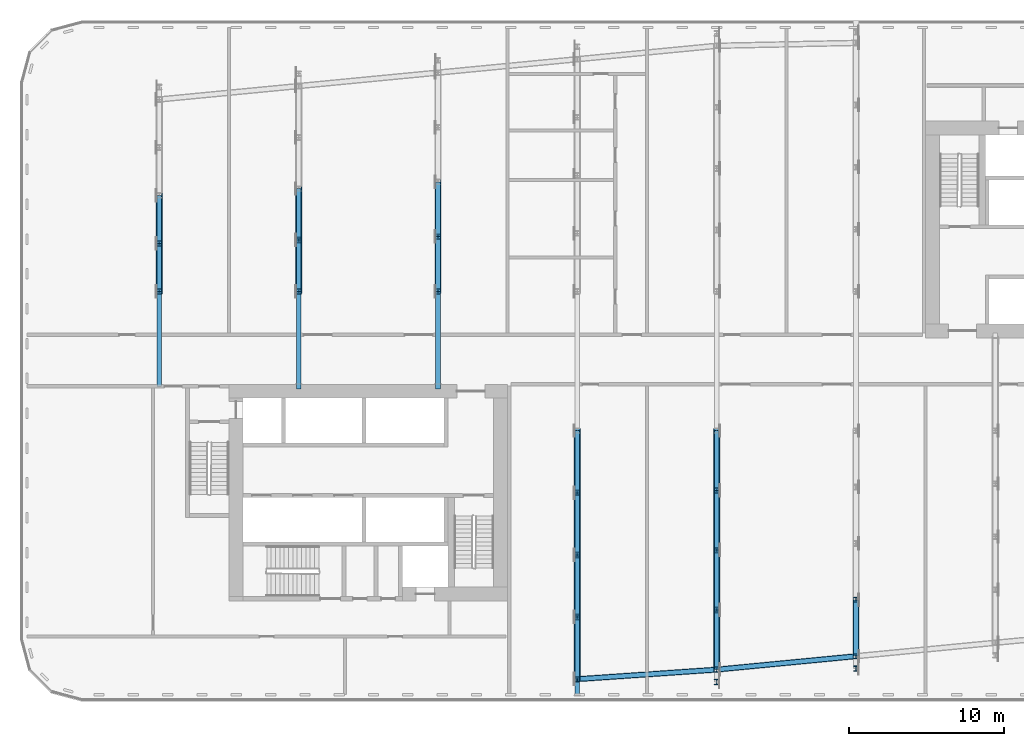
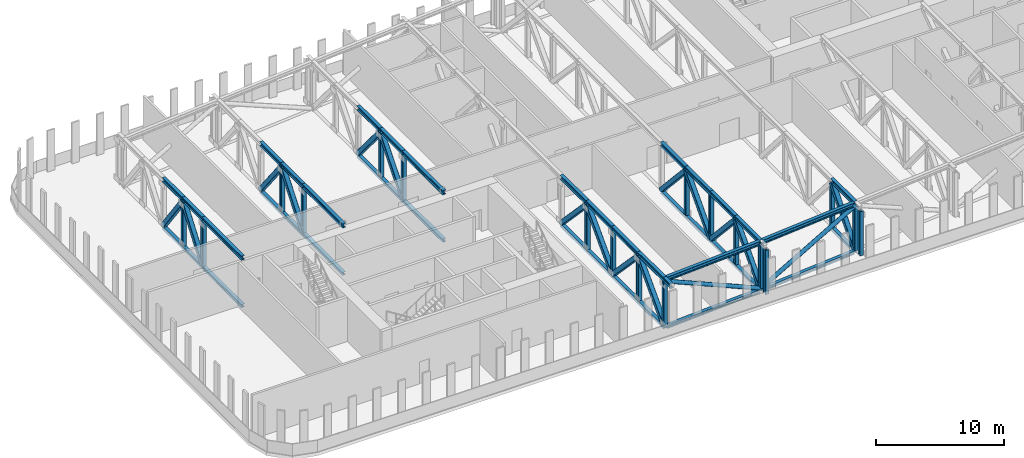
# One storey, part 1 of 22: 76 members.
"""IFC4 building model written with IfcOpenShell, lengths in metres."""

from ifc_helpers import new_model, si_unit, direction, frame, origin, origin_2d, place, context, subcontext, project, spatial, hollow_rectangle, hollow_circle, i_section, extrude, material, material_profile, profile_set, type_object, element, save


model = new_model("IFC4")

# Units and contexts
model_context = context("Model", 3, precision=1e-05, world=origin(), true_north=direction((0.0, 1.0)))
body_context = subcontext(model_context, "Body", "Model", "MODEL_VIEW")
ifc_project = project(units=[si_unit("LENGTHUNIT", "METRE"), si_unit("AREAUNIT", "SQUARE_METRE"), si_unit("VOLUMEUNIT", "CUBIC_METRE"), si_unit("PLANEANGLEUNIT", "RADIAN"), si_unit("MASSUNIT", "GRAM", prefix="KILO")], contexts=[model_context])

# Site, building, storey
site_placement = place(None, origin())
site = spatial("IfcSite", under=ifc_project, at=site_placement, CompositionType="ELEMENT")
building_placement = place(site_placement, origin())
building = spatial("IfcBuilding", under=site, at=building_placement, Name="Kajstack Hotel Tower", CompositionType="ELEMENT")
storey_placement = place(building_placement, frame((0.0, 0.0, 99.60009765625)))
storey = spatial("IfcBuildingStorey", under=building, at=storey_placement, Name="L21", CompositionType="ELEMENT", Elevation=99.60009765625)

# Members
ifc_material = material(Name="Steel S355J2", Category="steel")
ifc_material_profile_1 = material_profile(ifc_material, i_section(OverallWidth=0.300048828125, OverallDepth=0.300048828125, WebThickness=0.010986328125, FlangeThickness=0.01904296875, FilletRadius=0.027099609375, at=origin_2d()), Name="HEB 300")
ifc_profile_set_1 = profile_set([ifc_material_profile_1], Name="Steel S355J2")
member_type_1 = type_object("IfcMemberType", Name="Belt truss bottom chord BB2 HEB 300", PredefinedType="CHORD", material=ifc_profile_set_1)
member_1_placement = place(storey_placement, frame((-8.850341796875, -20.539794921875, -0.150146484375), z_axis=(0.997654846577, 0.068445650707, 0.0), x_axis=(-0.068445650707, 0.997654846577, 0.0)))
element("IfcMember", 1, at=member_1_placement, inside=storey, type_object=member_type_1, Name="S-belt-truss-L21-s04-b", PredefinedType="CHORD", context=body_context, shape_type="SweptSolid", body=[
    extrude(i_section(OverallWidth=0.300048828125, OverallDepth=0.300048828125, WebThickness=0.010986328125, FlangeThickness=0.01904296875, FilletRadius=0.027099609375, at=origin_2d()), origin(), (0.0, 0.0, 1.0), 8.72119140625),
])
member_2_placement = place(storey_placement, frame((0.1494140625, -19.918212890625, -0.150146484375), z_axis=(0.995395510024, 0.095852900965, 0.0), x_axis=(-0.095852900965, 0.995395510024, 0.0)))
element("IfcMember", 2, at=member_2_placement, inside=storey, type_object=member_type_1, Name="S-belt-truss-L21-s05-b", PredefinedType="CHORD", context=body_context, shape_type="SweptSolid", body=[
    extrude(i_section(OverallWidth=0.300048828125, OverallDepth=0.300048828125, WebThickness=0.010986328125, FlangeThickness=0.01904296875, FilletRadius=0.027099609375, at=origin_2d()), origin(), (0.0, 0.0, 1.0), 8.741455078125),
])
ifc_material_profile_2 = material_profile(ifc_material, i_section(OverallWidth=0.300048828125, OverallDepth=0.300048828125, WebThickness=0.010986328125, FlangeThickness=0.01904296875, FilletRadius=0.027099609375, at=origin_2d()), Name="HEB 300")
ifc_profile_set_2 = profile_set([ifc_material_profile_2], Name="Steel S355J2")
member_type_2 = type_object("IfcMemberType", Name="Belt truss bottom chord BC2 HEB 300", PredefinedType="CHORD", material=ifc_profile_set_2)
member_3_placement = place(storey_placement, frame((-36.0, -1.64990234375, -0.150146484375), z_axis=(0.0, 1.0, 0.0), x_axis=(-1.0, 0.0, 0.0)))
element("IfcMember", 3, at=member_3_placement, inside=storey, type_object=member_type_2, Name="S-belt-truss-L21--36p0-1-bc7", PredefinedType="CHORD", context=body_context, shape_type="SweptSolid", body=[
    extrude(i_section(OverallWidth=0.300048828125, OverallDepth=0.300048828125, WebThickness=0.010986328125, FlangeThickness=0.01904296875, FilletRadius=0.027099609375, at=origin_2d()), origin(), (0.0, 0.0, 1.0), 6.14990234375),
])
member_4_placement = place(storey_placement, frame((-36.0, 4.5, -0.150146484375), z_axis=(0.0, 1.0, 0.0), x_axis=(-1.0, 0.0, 0.0)))
element("IfcMember", 4, at=member_4_placement, inside=storey, type_object=member_type_2, Name="S-belt-truss-L21--36p0-1-bc8", PredefinedType="CHORD", context=body_context, shape_type="SweptSolid", body=[
    extrude(i_section(OverallWidth=0.300048828125, OverallDepth=0.300048828125, WebThickness=0.010986328125, FlangeThickness=0.01904296875, FilletRadius=0.027099609375, at=origin_2d()), origin(), (0.0, 0.0, 1.0), 3.09912109375),
])
member_5_placement = place(storey_placement, frame((-36.0, 7.59912109375, -0.150146484375), z_axis=(0.0, 1.0, 0.0), x_axis=(-1.0, 0.0, 0.0)))
element("IfcMember", 5, at=member_5_placement, inside=storey, type_object=member_type_2, Name="S-belt-truss-L21--36p0-1-bc9", PredefinedType="CHORD", context=body_context, shape_type="SweptSolid", body=[
    extrude(i_section(OverallWidth=0.300048828125, OverallDepth=0.300048828125, WebThickness=0.010986328125, FlangeThickness=0.01904296875, FilletRadius=0.027099609375, at=origin_2d()), origin(), (0.0, 0.0, 1.0), 3.098876953125),
])
member_6_placement = place(storey_placement, frame((-27.0, -1.800048828125, -0.150146484375), z_axis=(0.0, 1.0, 0.0), x_axis=(-1.0, 0.0, 0.0)))
element("IfcMember", 6, at=member_6_placement, inside=storey, type_object=member_type_2, Name="S-outrigger-truss-L21--27p0-1-bc7", PredefinedType="CHORD", context=body_context, shape_type="SweptSolid", body=[
    extrude(i_section(OverallWidth=0.300048828125, OverallDepth=0.300048828125, WebThickness=0.010986328125, FlangeThickness=0.01904296875, FilletRadius=0.027099609375, at=origin_2d()), origin(), (0.0, 0.0, 1.0), 6.300048828125),
])
member_7_placement = place(storey_placement, frame((-27.0, 4.5, -0.150146484375), z_axis=(0.0, 1.0, 0.0), x_axis=(-1.0, 0.0, 0.0)))
element("IfcMember", 7, at=member_7_placement, inside=storey, type_object=member_type_2, Name="S-outrigger-truss-L21--27p0-1-bc8", PredefinedType="CHORD", context=body_context, shape_type="SweptSolid", body=[
    extrude(i_section(OverallWidth=0.300048828125, OverallDepth=0.300048828125, WebThickness=0.010986328125, FlangeThickness=0.01904296875, FilletRadius=0.027099609375, at=origin_2d()), origin(), (0.0, 0.0, 1.0), 3.315673828125),
])
member_8_placement = place(storey_placement, frame((-27.0, 7.815673828125, -0.150146484375), z_axis=(0.0, 1.0, 0.0), x_axis=(-1.0, 0.0, 0.0)))
element("IfcMember", 8, at=member_8_placement, inside=storey, type_object=member_type_2, Name="S-outrigger-truss-L21--27p0-1-bc9", PredefinedType="CHORD", context=body_context, shape_type="SweptSolid", body=[
    extrude(i_section(OverallWidth=0.300048828125, OverallDepth=0.300048828125, WebThickness=0.010986328125, FlangeThickness=0.01904296875, FilletRadius=0.027099609375, at=origin_2d()), origin(), (0.0, 0.0, 1.0), 3.3154296875),
])
member_9_placement = place(storey_placement, frame((-18.0, -1.800048828125, -0.150146484375), z_axis=(0.0, 1.0, 0.0), x_axis=(-1.0, 0.0, 0.0)))
element("IfcMember", 9, at=member_9_placement, inside=storey, type_object=member_type_2, Name="S-outrigger-truss-L21--18p0-1-bc7", PredefinedType="CHORD", context=body_context, shape_type="SweptSolid", body=[
    extrude(i_section(OverallWidth=0.300048828125, OverallDepth=0.300048828125, WebThickness=0.010986328125, FlangeThickness=0.01904296875, FilletRadius=0.027099609375, at=origin_2d()), origin(), (0.0, 0.0, 1.0), 6.300048828125),
])
for number, where, z_axis, x_axis, name in (
    (10, (-18.0, 4.5, -0.150146484375), (0.0, 1.0, 0.0), (-1.0, 0.0, 0.0), "S-outrigger-truss-L21--18p0-1-bc8"),
    (11, (-18.0, 8.0322265625, -0.150146484375), (0.0, 1.0, 0.0), (-1.0, 0.0, 0.0), "S-outrigger-truss-L21--18p0-1-bc9"),
):
    element("IfcMember", number, at=place(storey_placement, frame(where, z_axis=z_axis, x_axis=x_axis)), inside=storey, type_object=member_type_2, Name=name, PredefinedType="CHORD", context=body_context, shape_type="SweptSolid", body=[
        extrude(i_section(OverallWidth=0.300048828125, OverallDepth=0.300048828125, WebThickness=0.010986328125, FlangeThickness=0.01904296875, FilletRadius=0.027099609375, at=origin_2d()), origin(), (0.0, 0.0, 1.0), 3.5322265625),
    ])
member_10_placement = place(storey_placement, frame((-9.0, -20.550048828125, -0.150146484375), z_axis=(0.0, 1.0, 0.0), x_axis=(-1.0, 0.0, 0.0)))
element("IfcMember", 12, at=member_10_placement, inside=storey, type_object=member_type_2, Name="S-belt-truss-L21--9p0-1-bc12", PredefinedType="CHORD", context=body_context, shape_type="SweptSolid", body=[
    extrude(i_section(OverallWidth=0.300048828125, OverallDepth=0.300048828125, WebThickness=0.010986328125, FlangeThickness=0.01904296875, FilletRadius=0.027099609375, at=origin_2d()), origin(), (0.0, 0.0, 1.0), 4.012451171875),
])
member_11_placement = place(storey_placement, frame((-9.0, -16.53759765625, -0.150146484375), z_axis=(0.0, 1.0, 0.0), x_axis=(-1.0, 0.0, 0.0)))
element("IfcMember", 13, at=member_11_placement, inside=storey, type_object=member_type_2, Name="S-belt-truss-L21--9p0-1-bc13", PredefinedType="CHORD", context=body_context, shape_type="SweptSolid", body=[
    extrude(i_section(OverallWidth=0.300048828125, OverallDepth=0.300048828125, WebThickness=0.010986328125, FlangeThickness=0.01904296875, FilletRadius=0.027099609375, at=origin_2d()), origin(), (0.0, 0.0, 1.0), 4.0126953125),
])
for number, where, z_axis, x_axis, name in (
    (14, (-9.0, -12.52490234375, -0.150146484375), (0.0, 1.0, 0.0), (-1.0, 0.0, 0.0), "S-belt-truss-L21--9p0-1-bc14"),
    (15, (-9.0, -8.512451171875, -0.150146484375), (0.0, 1.0, 0.0), (-1.0, 0.0, 0.0), "S-belt-truss-L21--9p0-1-bc15"),
):
    element("IfcMember", number, at=place(storey_placement, frame(where, z_axis=z_axis, x_axis=x_axis)), inside=storey, type_object=member_type_2, Name=name, PredefinedType="CHORD", context=body_context, shape_type="SweptSolid", body=[
        extrude(i_section(OverallWidth=0.300048828125, OverallDepth=0.300048828125, WebThickness=0.010986328125, FlangeThickness=0.01904296875, FilletRadius=0.027099609375, at=origin_2d()), origin(), (0.0, 0.0, 1.0), 4.012451171875),
    ])
for number, where, z_axis, x_axis, name in (
    (16, (0.0, -19.9326171875, -0.150146484375), (0.0, 1.0, 0.0), (-1.0, 0.0, 0.0), "S-belt-truss-L21-+0p0-1-bc13"),
    (17, (0.0, -16.074462890625, -0.150146484375), (0.0, 1.0, 0.0), (-1.0, 0.0, 0.0), "S-belt-truss-L21-+0p0-1-bc14"),
    (18, (0.0, -12.21630859375, -0.150146484375), (0.0, 1.0, 0.0), (-1.0, 0.0, 0.0), "S-belt-truss-L21-+0p0-1-bc15"),
    (19, (0.0, -8.358154296875, -0.150146484375), (0.0, 1.0, 0.0), (-1.0, 0.0, 0.0), "S-belt-truss-L21-+0p0-1-bc16"),
):
    element("IfcMember", number, at=place(storey_placement, frame(where, z_axis=z_axis, x_axis=x_axis)), inside=storey, type_object=member_type_2, Name=name, PredefinedType="CHORD", context=body_context, shape_type="SweptSolid", body=[
        extrude(i_section(OverallWidth=0.300048828125, OverallDepth=0.300048828125, WebThickness=0.010986328125, FlangeThickness=0.01904296875, FilletRadius=0.027099609375, at=origin_2d()), origin(), (0.0, 0.0, 1.0), 3.858154296875),
    ])
member_12_placement = place(storey_placement, frame((9.0, -19.06591796875, -0.150146484375), z_axis=(0.0, 1.0, 0.0), x_axis=(-1.0, 0.0, 0.0)))
element("IfcMember", 20, at=member_12_placement, inside=storey, type_object=member_type_2, Name="S-belt-truss-L21-+9p0-1-bc14", PredefinedType="CHORD", context=body_context, shape_type="SweptSolid", body=[
    extrude(i_section(OverallWidth=0.300048828125, OverallDepth=0.300048828125, WebThickness=0.010986328125, FlangeThickness=0.01904296875, FilletRadius=0.027099609375, at=origin_2d()), origin(), (0.0, 0.0, 1.0), 3.6416015625),
])
ifc_material_profile_3 = material_profile(ifc_material, hollow_circle(Radius=0.177734375, WallThickness=0.01611328125, at=origin_2d()), Name="CHS 355.6x16")
ifc_profile_set_3 = profile_set([ifc_material_profile_3], Name="Steel S355J2")
member_type_3 = type_object("IfcMemberType", Name="Belt truss diagonal BD2 CHS 355.6x16", PredefinedType="BRACE", material=ifc_profile_set_3)
member_13_placement = place(storey_placement, frame((0.0, -19.9326171875, 0.0), z_axis=(-0.904054770083, -0.062021335545, 0.42289280749), x_axis=(0.068442644007, -0.997655052852, 0.0)))
element("IfcMember", 21, at=member_13_placement, inside=storey, type_object=member_type_3, Name="S-belt-truss-L21-s04-d", PredefinedType="BRACE", context=body_context, shape_type="SweptSolid", body=[
    extrude(hollow_circle(Radius=0.177734375, WallThickness=0.01611328125, at=origin_2d()), origin(), (0.0, 0.0, 1.0), 9.955078125),
])
member_14_placement = place(storey_placement, frame((0.0, -19.9326171875, 0.0), z_axis=(0.902372121579, 0.086898356977, 0.422105709215), x_axis=(-0.095856468129, 0.995395166513, 0.0)))
element("IfcMember", 22, at=member_14_placement, inside=storey, type_object=member_type_3, Name="S-belt-truss-L21-s05-d", PredefinedType="BRACE", context=body_context, shape_type="SweptSolid", body=[
    extrude(hollow_circle(Radius=0.177734375, WallThickness=0.01611328125, at=origin_2d()), origin(), (0.0, 0.0, 1.0), 9.9736328125),
])
ifc_material_profile_4 = material_profile(ifc_material, hollow_rectangle(XDim=0.39990234375, YDim=0.39990234375, WallThickness=0.02001953125, InnerFilletRadius=0.02001953125, OuterFilletRadius=0.030029296875, at=origin_2d()), Name="SHS 400x400x20")
ifc_profile_set_4 = profile_set([ifc_material_profile_4], Name="Steel S355J2")
member_type_4 = type_object("IfcMemberType", Name="Belt truss diagonal DG2 SHS 400x400x20", PredefinedType="BRACE", material=ifc_profile_set_4)
for number, where, z_axis, x_axis, name in (
    (23, (-36.0, 4.5, 0.0), (0.0, 0.59283257295, 0.805325735619), (-1.0, 0.0, 0.0), "S-belt-truss-L21--36p0-1-dg19"),
    (24, (-36.0, 10.697998046875, 0.0), (0.0, -0.592802283265, 0.805348032192), (1.0, 0.0, 0.0), "S-belt-truss-L21--36p0-1-dg20"),
):
    element("IfcMember", number, at=place(storey_placement, frame(where, z_axis=z_axis, x_axis=x_axis)), inside=storey, type_object=member_type_4, Name=name, PredefinedType="BRACE", context=body_context, shape_type="SweptSolid", body=[
        extrude(hollow_rectangle(XDim=0.39990234375, YDim=0.39990234375, WallThickness=0.02001953125, InnerFilletRadius=0.02001953125, OuterFilletRadius=0.030029296875, at=origin_2d()), origin(), (0.0, 0.0, 1.0), 5.2275390625),
    ])
member_15_placement = place(storey_placement, frame((-27.0, 4.5, 0.0), z_axis=(0.0, 0.618726558632, 0.785606419044), x_axis=(-1.0, 0.0, 0.0)))
element("IfcMember", 25, at=member_15_placement, inside=storey, type_object=member_type_4, Name="S-outrigger-truss-L21--27p0-1-dg19", PredefinedType="BRACE", context=body_context, shape_type="SweptSolid", body=[
    extrude(hollow_rectangle(XDim=0.39990234375, YDim=0.39990234375, WallThickness=0.02001953125, InnerFilletRadius=0.02001953125, OuterFilletRadius=0.030029296875, at=origin_2d()), origin(), (0.0, 0.0, 1.0), 5.35888671875),
])
member_16_placement = place(storey_placement, frame((-27.0, 11.131103515625, 0.0), z_axis=(0.0, -0.61869843992, 0.785628563916), x_axis=(1.0, 0.0, 0.0)))
element("IfcMember", 26, at=member_16_placement, inside=storey, type_object=member_type_4, Name="S-outrigger-truss-L21--27p0-1-dg20", PredefinedType="BRACE", context=body_context, shape_type="SweptSolid", body=[
    extrude(hollow_rectangle(XDim=0.39990234375, YDim=0.39990234375, WallThickness=0.02001953125, InnerFilletRadius=0.02001953125, OuterFilletRadius=0.030029296875, at=origin_2d()), origin(), (0.0, 0.0, 1.0), 5.358642578125),
])
for number, where, z_axis, x_axis, name in (
    (27, (-18.0, 4.5, 0.0), (0.0, 0.642750223443, 0.766075812348), (-1.0, 0.0, 0.0), "S-outrigger-truss-L21--18p0-1-dg19"),
    (28, (-18.0, 11.564453125, 0.0), (0.0, -0.642750223443, 0.766075812348), (1.0, 0.0, 0.0), "S-outrigger-truss-L21--18p0-1-dg20"),
):
    element("IfcMember", number, at=place(storey_placement, frame(where, z_axis=z_axis, x_axis=x_axis)), inside=storey, type_object=member_type_4, Name=name, PredefinedType="BRACE", context=body_context, shape_type="SweptSolid", body=[
        extrude(hollow_rectangle(XDim=0.39990234375, YDim=0.39990234375, WallThickness=0.02001953125, InnerFilletRadius=0.02001953125, OuterFilletRadius=0.030029296875, at=origin_2d()), origin(), (0.0, 0.0, 1.0), 5.49560546875),
    ])
for number, where, z_axis, x_axis, name in (
    (29, (-9.0, -20.550048828125, 0.0), (0.0, 0.689922422397, 0.723883313162), (-1.0, 0.0, 0.0), "S-belt-truss-L21--9p0-1-dg33"),
    (30, (-9.0, -12.52490234375, 0.0), (0.0, -0.689944418655, 0.723862348217), (1.0, 0.0, 0.0), "S-belt-truss-L21--9p0-1-dg34"),
    (31, (-9.0, -12.52490234375, 0.0), (0.0, 0.689922422397, 0.723883313162), (-1.0, 0.0, 0.0), "S-belt-truss-L21--9p0-1-dg35"),
    (32, (-9.0, -4.5, 0.0), (0.0, -0.689922422397, 0.723883313162), (1.0, 0.0, 0.0), "S-belt-truss-L21--9p0-1-dg36"),
):
    element("IfcMember", number, at=place(storey_placement, frame(where, z_axis=z_axis, x_axis=x_axis)), inside=storey, type_object=member_type_4, Name=name, PredefinedType="BRACE", context=body_context, shape_type="SweptSolid", body=[
        extrude(hollow_rectangle(XDim=0.39990234375, YDim=0.39990234375, WallThickness=0.02001953125, InnerFilletRadius=0.02001953125, OuterFilletRadius=0.030029296875, at=origin_2d()), origin(), (0.0, 0.0, 1.0), 5.81591796875),
    ])
for number, where, z_axis, x_axis, name in (
    (33, (0.0, -19.9326171875, 0.0), (0.0, 0.675631695042, 0.73723931844), (-1.0, 0.0, 0.0), "S-belt-truss-L21-+0p0-1-dg35"),
    (34, (0.0, -12.21630859375, 0.0), (0.0, -0.675631695042, 0.73723931844), (1.0, 0.0, 0.0), "S-belt-truss-L21-+0p0-1-dg36"),
    (35, (0.0, -12.21630859375, 0.0), (0.0, 0.675631695042, 0.73723931844), (-1.0, 0.0, 0.0), "S-belt-truss-L21-+0p0-1-dg37"),
    (36, (0.0, -4.5, 0.0), (0.0, -0.675631695042, 0.73723931844), (1.0, 0.0, 0.0), "S-belt-truss-L21-+0p0-1-dg38"),
):
    element("IfcMember", number, at=place(storey_placement, frame(where, z_axis=z_axis, x_axis=x_axis)), inside=storey, type_object=member_type_4, Name=name, PredefinedType="BRACE", context=body_context, shape_type="SweptSolid", body=[
        extrude(hollow_rectangle(XDim=0.39990234375, YDim=0.39990234375, WallThickness=0.02001953125, InnerFilletRadius=0.02001953125, OuterFilletRadius=0.030029296875, at=origin_2d()), origin(), (0.0, 0.0, 1.0), 5.71044921875),
    ])
member_17_placement = place(storey_placement, frame((9.0, -19.06591796875, 0.0), z_axis=(0.0, 0.654208895326, 0.756313903929), x_axis=(-1.0, 0.0, 0.0)))
element("IfcMember", 37, at=member_17_placement, inside=storey, type_object=member_type_4, Name="S-belt-truss-L21-+9p0-1-dg36", PredefinedType="BRACE", context=body_context, shape_type="SweptSolid", body=[
    extrude(hollow_rectangle(XDim=0.39990234375, YDim=0.39990234375, WallThickness=0.02001953125, InnerFilletRadius=0.02001953125, OuterFilletRadius=0.030029296875, at=origin_2d()), origin(), (0.0, 0.0, 1.0), 5.56640625),
])
ifc_material_profile_5 = material_profile(ifc_material, i_section(OverallWidth=0.31005859375, OverallDepth=0.340087890625, WebThickness=0.02099609375, FlangeThickness=0.0390625, FilletRadius=0.027099609375, at=origin_2d()), Name="HEM 300")
ifc_profile_set_5 = profile_set([ifc_material_profile_5], Name="Steel S355J2")
member_type_5 = type_object("IfcMemberType", Name="Belt truss post PO2 HEM 300", PredefinedType="POST", material=ifc_profile_set_5)
for number, where, z_axis, x_axis, name in (
    (38, (-36.0, 4.5, 0.0), (0.0, 0.0, 1.0), (1.0, 0.0, 0.0), "S-belt-truss-L21--36p0-1-po13"),
    (39, (-36.0, 7.59912109375, 0.0), (0.0, 0.0, 1.0), (1.0, 0.0, 0.0), "S-belt-truss-L21--36p0-1-po14"),
    (40, (-27.0, 4.5, 0.0), (0.0, 0.0, 1.0), (1.0, 0.0, 0.0), "S-outrigger-truss-L21--27p0-1-po13"),
    (41, (-27.0, 7.815673828125, 0.0), (0.0, 0.0, 1.0), (1.0, 0.0, 0.0), "S-outrigger-truss-L21--27p0-1-po14"),
    (42, (-18.0, 4.5, 0.0), (0.0, 0.0, 1.0), (1.0, 0.0, 0.0), "S-outrigger-truss-L21--18p0-1-po13"),
    (43, (-18.0, 8.0322265625, 0.0), (0.0, 0.0, 1.0), (1.0, 0.0, 0.0), "S-outrigger-truss-L21--18p0-1-po14"),
    (44, (-9.0, -20.550048828125, 0.0), (0.0, 0.0, 1.0), (1.0, 0.0, 0.0), "S-belt-truss-L21--9p0-1-po22"),
    (45, (-9.0, -16.53759765625, 0.0), (0.0, 0.0, 1.0), (1.0, 0.0, 0.0), "S-belt-truss-L21--9p0-1-po23"),
    (46, (-9.0, -12.52490234375, 0.0), (0.0, 0.0, 1.0), (1.0, 0.0, 0.0), "S-belt-truss-L21--9p0-1-po24"),
    (47, (-9.0, -8.512451171875, 0.0), (0.0, 0.0, 1.0), (1.0, 0.0, 0.0), "S-belt-truss-L21--9p0-1-po25"),
    (48, (0.0, -20.732421875, 0.0), (0.0, 0.0, 1.0), (1.0, 0.0, 0.0), "S-belt-truss-L21-+0p0-1-po23"),
    (49, (0.0, -19.9326171875, 0.0), (0.0, 0.0, 1.0), (1.0, 0.0, 0.0), "S-belt-truss-L21-+0p0-1-po24"),
    (50, (0.0, -16.074462890625, 0.0), (0.0, 0.0, 1.0), (1.0, 0.0, 0.0), "S-belt-truss-L21-+0p0-1-po25"),
    (51, (0.0, -12.21630859375, 0.0), (0.0, 0.0, 1.0), (1.0, 0.0, 0.0), "S-belt-truss-L21-+0p0-1-po26"),
    (52, (0.0, -8.358154296875, 0.0), (0.0, 0.0, 1.0), (1.0, 0.0, 0.0), "S-belt-truss-L21-+0p0-1-po27"),
    (53, (9.0, -19.865966796875, 0.0), (0.0, 0.0, 1.0), (1.0, 0.0, 0.0), "S-belt-truss-L21-+9p0-1-po24"),
    (54, (9.0, -19.06591796875, 0.0), (0.0, 0.0, 1.0), (1.0, 0.0, 0.0), "S-belt-truss-L21-+9p0-1-po25"),
    (55, (9.0, -15.42431640625, 0.0), (0.0, 0.0, 1.0), (1.0, 0.0, 0.0), "S-belt-truss-L21-+9p0-1-po26"),
):
    element("IfcMember", number, at=place(storey_placement, frame(where, z_axis=z_axis, x_axis=x_axis)), inside=storey, type_object=member_type_5, Name=name, PredefinedType="POST", context=body_context, shape_type="SweptSolid", body=[
        extrude(i_section(OverallWidth=0.31005859375, OverallDepth=0.340087890625, WebThickness=0.02099609375, FlangeThickness=0.0390625, FilletRadius=0.027099609375, at=origin_2d()), origin(), (0.0, 0.0, 1.0), 4.2099609375),
    ])
ifc_material_profile_6 = material_profile(ifc_material, i_section(OverallWidth=0.300048828125, OverallDepth=0.389892578125, WebThickness=0.010986328125, FlangeThickness=0.01904296875, FilletRadius=0.027099609375, at=origin_2d()), Name="HEA 400")
ifc_profile_set_6 = profile_set([ifc_material_profile_6], Name="Steel S355J2")
member_type_6 = type_object("IfcMemberType", Name="Belt truss top chord BT2 HEA 400", PredefinedType="CHORD", material=ifc_profile_set_6)
member_18_placement = place(storey_placement, frame((-8.850341796875, -20.539794921875, 4.40478515625), z_axis=(0.997654846577, 0.068445650707, 0.0), x_axis=(-0.068445650707, 0.997654846577, 0.0)))
element("IfcMember", 56, at=member_18_placement, inside=storey, type_object=member_type_6, Name="S-belt-truss-L21-s04-t", PredefinedType="CHORD", context=body_context, shape_type="SweptSolid", body=[
    extrude(i_section(OverallWidth=0.300048828125, OverallDepth=0.389892578125, WebThickness=0.010986328125, FlangeThickness=0.01904296875, FilletRadius=0.027099609375, at=origin_2d()), origin(), (0.0, 0.0, 1.0), 8.72119140625),
])
member_19_placement = place(storey_placement, frame((0.1494140625, -19.918212890625, 4.40478515625), z_axis=(0.995395510024, 0.095852900965, 0.0), x_axis=(-0.095852900965, 0.995395510024, 0.0)))
element("IfcMember", 57, at=member_19_placement, inside=storey, type_object=member_type_6, Name="S-belt-truss-L21-s05-t", PredefinedType="CHORD", context=body_context, shape_type="SweptSolid", body=[
    extrude(i_section(OverallWidth=0.300048828125, OverallDepth=0.389892578125, WebThickness=0.010986328125, FlangeThickness=0.01904296875, FilletRadius=0.027099609375, at=origin_2d()), origin(), (0.0, 0.0, 1.0), 8.741455078125),
])
ifc_material_profile_7 = material_profile(ifc_material, i_section(OverallWidth=0.300048828125, OverallDepth=0.389892578125, WebThickness=0.010986328125, FlangeThickness=0.01904296875, FilletRadius=0.027099609375, at=origin_2d()), Name="HEA 400")
ifc_profile_set_7 = profile_set([ifc_material_profile_7], Name="Steel S355J2")
member_type_7 = type_object("IfcMemberType", Name="Belt truss top chord TC2 HEA 400", PredefinedType="CHORD", material=ifc_profile_set_7)
member_20_placement = place(storey_placement, frame((-36.0, -1.64990234375, 4.40478515625), z_axis=(0.0, 1.0, 0.0), x_axis=(-1.0, 0.0, 0.0)))
element("IfcMember", 58, at=member_20_placement, inside=storey, type_object=member_type_7, Name="S-belt-truss-L21--36p0-1-tc1", PredefinedType="CHORD", context=body_context, shape_type="SweptSolid", body=[
    extrude(i_section(OverallWidth=0.300048828125, OverallDepth=0.389892578125, WebThickness=0.010986328125, FlangeThickness=0.01904296875, FilletRadius=0.027099609375, at=origin_2d()), origin(), (0.0, 0.0, 1.0), 6.14990234375),
])
member_21_placement = place(storey_placement, frame((-36.0, 4.5, 4.40478515625), z_axis=(0.0, 1.0, 0.0), x_axis=(-1.0, 0.0, 0.0)))
element("IfcMember", 59, at=member_21_placement, inside=storey, type_object=member_type_7, Name="S-belt-truss-L21--36p0-1-tc2", PredefinedType="CHORD", context=body_context, shape_type="SweptSolid", body=[
    extrude(i_section(OverallWidth=0.300048828125, OverallDepth=0.389892578125, WebThickness=0.010986328125, FlangeThickness=0.01904296875, FilletRadius=0.027099609375, at=origin_2d()), origin(), (0.0, 0.0, 1.0), 3.09912109375),
])
member_22_placement = place(storey_placement, frame((-36.0, 7.59912109375, 4.40478515625), z_axis=(0.0, 1.0, 0.0), x_axis=(-1.0, 0.0, 0.0)))
element("IfcMember", 60, at=member_22_placement, inside=storey, type_object=member_type_7, Name="S-belt-truss-L21--36p0-1-tc3", PredefinedType="CHORD", context=body_context, shape_type="SweptSolid", body=[
    extrude(i_section(OverallWidth=0.300048828125, OverallDepth=0.389892578125, WebThickness=0.010986328125, FlangeThickness=0.01904296875, FilletRadius=0.027099609375, at=origin_2d()), origin(), (0.0, 0.0, 1.0), 3.098876953125),
])
member_23_placement = place(storey_placement, frame((-27.0, -1.800048828125, 4.40478515625), z_axis=(0.0, 1.0, 0.0), x_axis=(-1.0, 0.0, 0.0)))
element("IfcMember", 61, at=member_23_placement, inside=storey, type_object=member_type_7, Name="S-outrigger-truss-L21--27p0-1-tc1", PredefinedType="CHORD", context=body_context, shape_type="SweptSolid", body=[
    extrude(i_section(OverallWidth=0.300048828125, OverallDepth=0.389892578125, WebThickness=0.010986328125, FlangeThickness=0.01904296875, FilletRadius=0.027099609375, at=origin_2d()), origin(), (0.0, 0.0, 1.0), 6.300048828125),
])
member_24_placement = place(storey_placement, frame((-27.0, 4.5, 4.40478515625), z_axis=(0.0, 1.0, 0.0), x_axis=(-1.0, 0.0, 0.0)))
element("IfcMember", 62, at=member_24_placement, inside=storey, type_object=member_type_7, Name="S-outrigger-truss-L21--27p0-1-tc2", PredefinedType="CHORD", context=body_context, shape_type="SweptSolid", body=[
    extrude(i_section(OverallWidth=0.300048828125, OverallDepth=0.389892578125, WebThickness=0.010986328125, FlangeThickness=0.01904296875, FilletRadius=0.027099609375, at=origin_2d()), origin(), (0.0, 0.0, 1.0), 3.315673828125),
])
member_25_placement = place(storey_placement, frame((-27.0, 7.815673828125, 4.40478515625), z_axis=(0.0, 1.0, 0.0), x_axis=(-1.0, 0.0, 0.0)))
element("IfcMember", 63, at=member_25_placement, inside=storey, type_object=member_type_7, Name="S-outrigger-truss-L21--27p0-1-tc3", PredefinedType="CHORD", context=body_context, shape_type="SweptSolid", body=[
    extrude(i_section(OverallWidth=0.300048828125, OverallDepth=0.389892578125, WebThickness=0.010986328125, FlangeThickness=0.01904296875, FilletRadius=0.027099609375, at=origin_2d()), origin(), (0.0, 0.0, 1.0), 3.3154296875),
])
member_26_placement = place(storey_placement, frame((-18.0, -1.800048828125, 4.40478515625), z_axis=(0.0, 1.0, 0.0), x_axis=(-1.0, 0.0, 0.0)))
element("IfcMember", 64, at=member_26_placement, inside=storey, type_object=member_type_7, Name="S-outrigger-truss-L21--18p0-1-tc1", PredefinedType="CHORD", context=body_context, shape_type="SweptSolid", body=[
    extrude(i_section(OverallWidth=0.300048828125, OverallDepth=0.389892578125, WebThickness=0.010986328125, FlangeThickness=0.01904296875, FilletRadius=0.027099609375, at=origin_2d()), origin(), (0.0, 0.0, 1.0), 6.300048828125),
])
for number, where, z_axis, x_axis, name in (
    (65, (-18.0, 4.5, 4.40478515625), (0.0, 1.0, 0.0), (-1.0, 0.0, 0.0), "S-outrigger-truss-L21--18p0-1-tc2"),
    (66, (-18.0, 8.0322265625, 4.40478515625), (0.0, 1.0, 0.0), (-1.0, 0.0, 0.0), "S-outrigger-truss-L21--18p0-1-tc3"),
):
    element("IfcMember", number, at=place(storey_placement, frame(where, z_axis=z_axis, x_axis=x_axis)), inside=storey, type_object=member_type_7, Name=name, PredefinedType="CHORD", context=body_context, shape_type="SweptSolid", body=[
        extrude(i_section(OverallWidth=0.300048828125, OverallDepth=0.389892578125, WebThickness=0.010986328125, FlangeThickness=0.01904296875, FilletRadius=0.027099609375, at=origin_2d()), origin(), (0.0, 0.0, 1.0), 3.5322265625),
    ])
member_27_placement = place(storey_placement, frame((-9.0, -21.59912109375, 4.40478515625), z_axis=(0.0, 1.0, 0.0), x_axis=(-1.0, 0.0, 0.0)))
element("IfcMember", 67, at=member_27_placement, inside=storey, type_object=member_type_7, Name="S-belt-truss-L21--9p0-1-tc1", PredefinedType="CHORD", context=body_context, shape_type="SweptSolid", body=[
    extrude(i_section(OverallWidth=0.300048828125, OverallDepth=0.389892578125, WebThickness=0.010986328125, FlangeThickness=0.01904296875, FilletRadius=0.027099609375, at=origin_2d()), origin(), (0.0, 0.0, 1.0), 1.049072265625),
])
member_28_placement = place(storey_placement, frame((-9.0, -20.550048828125, 4.40478515625), z_axis=(0.0, 1.0, 0.0), x_axis=(-1.0, 0.0, 0.0)))
element("IfcMember", 68, at=member_28_placement, inside=storey, type_object=member_type_7, Name="S-belt-truss-L21--9p0-1-tc2", PredefinedType="CHORD", context=body_context, shape_type="SweptSolid", body=[
    extrude(i_section(OverallWidth=0.300048828125, OverallDepth=0.389892578125, WebThickness=0.010986328125, FlangeThickness=0.01904296875, FilletRadius=0.027099609375, at=origin_2d()), origin(), (0.0, 0.0, 1.0), 4.012451171875),
])
member_29_placement = place(storey_placement, frame((-9.0, -16.53759765625, 4.40478515625), z_axis=(0.0, 1.0, 0.0), x_axis=(-1.0, 0.0, 0.0)))
element("IfcMember", 69, at=member_29_placement, inside=storey, type_object=member_type_7, Name="S-belt-truss-L21--9p0-1-tc3", PredefinedType="CHORD", context=body_context, shape_type="SweptSolid", body=[
    extrude(i_section(OverallWidth=0.300048828125, OverallDepth=0.389892578125, WebThickness=0.010986328125, FlangeThickness=0.01904296875, FilletRadius=0.027099609375, at=origin_2d()), origin(), (0.0, 0.0, 1.0), 4.0126953125),
])
for number, where, z_axis, x_axis, name in (
    (70, (-9.0, -12.52490234375, 4.40478515625), (0.0, 1.0, 0.0), (-1.0, 0.0, 0.0), "S-belt-truss-L21--9p0-1-tc4"),
    (71, (-9.0, -8.512451171875, 4.40478515625), (0.0, 1.0, 0.0), (-1.0, 0.0, 0.0), "S-belt-truss-L21--9p0-1-tc5"),
):
    element("IfcMember", number, at=place(storey_placement, frame(where, z_axis=z_axis, x_axis=x_axis)), inside=storey, type_object=member_type_7, Name=name, PredefinedType="CHORD", context=body_context, shape_type="SweptSolid", body=[
        extrude(i_section(OverallWidth=0.300048828125, OverallDepth=0.389892578125, WebThickness=0.010986328125, FlangeThickness=0.01904296875, FilletRadius=0.027099609375, at=origin_2d()), origin(), (0.0, 0.0, 1.0), 4.012451171875),
    ])
for number, where, z_axis, x_axis, name in (
    (72, (0.0, -19.9326171875, 4.40478515625), (0.0, 1.0, 0.0), (-1.0, 0.0, 0.0), "S-belt-truss-L21-+0p0-1-tc2"),
    (73, (0.0, -16.074462890625, 4.40478515625), (0.0, 1.0, 0.0), (-1.0, 0.0, 0.0), "S-belt-truss-L21-+0p0-1-tc3"),
    (74, (0.0, -12.21630859375, 4.40478515625), (0.0, 1.0, 0.0), (-1.0, 0.0, 0.0), "S-belt-truss-L21-+0p0-1-tc4"),
    (75, (0.0, -8.358154296875, 4.40478515625), (0.0, 1.0, 0.0), (-1.0, 0.0, 0.0), "S-belt-truss-L21-+0p0-1-tc5"),
):
    element("IfcMember", number, at=place(storey_placement, frame(where, z_axis=z_axis, x_axis=x_axis)), inside=storey, type_object=member_type_7, Name=name, PredefinedType="CHORD", context=body_context, shape_type="SweptSolid", body=[
        extrude(i_section(OverallWidth=0.300048828125, OverallDepth=0.389892578125, WebThickness=0.010986328125, FlangeThickness=0.01904296875, FilletRadius=0.027099609375, at=origin_2d()), origin(), (0.0, 0.0, 1.0), 3.858154296875),
    ])
member_30_placement = place(storey_placement, frame((9.0, -19.06591796875, 4.40478515625), z_axis=(0.0, 1.0, 0.0), x_axis=(-1.0, 0.0, 0.0)))
element("IfcMember", 76, at=member_30_placement, inside=storey, type_object=member_type_7, Name="S-belt-truss-L21-+9p0-1-tc2", PredefinedType="CHORD", context=body_context, shape_type="SweptSolid", body=[
    extrude(i_section(OverallWidth=0.300048828125, OverallDepth=0.389892578125, WebThickness=0.010986328125, FlangeThickness=0.01904296875, FilletRadius=0.027099609375, at=origin_2d()), origin(), (0.0, 0.0, 1.0), 3.6416015625),
])

save(model, "model.ifc")
